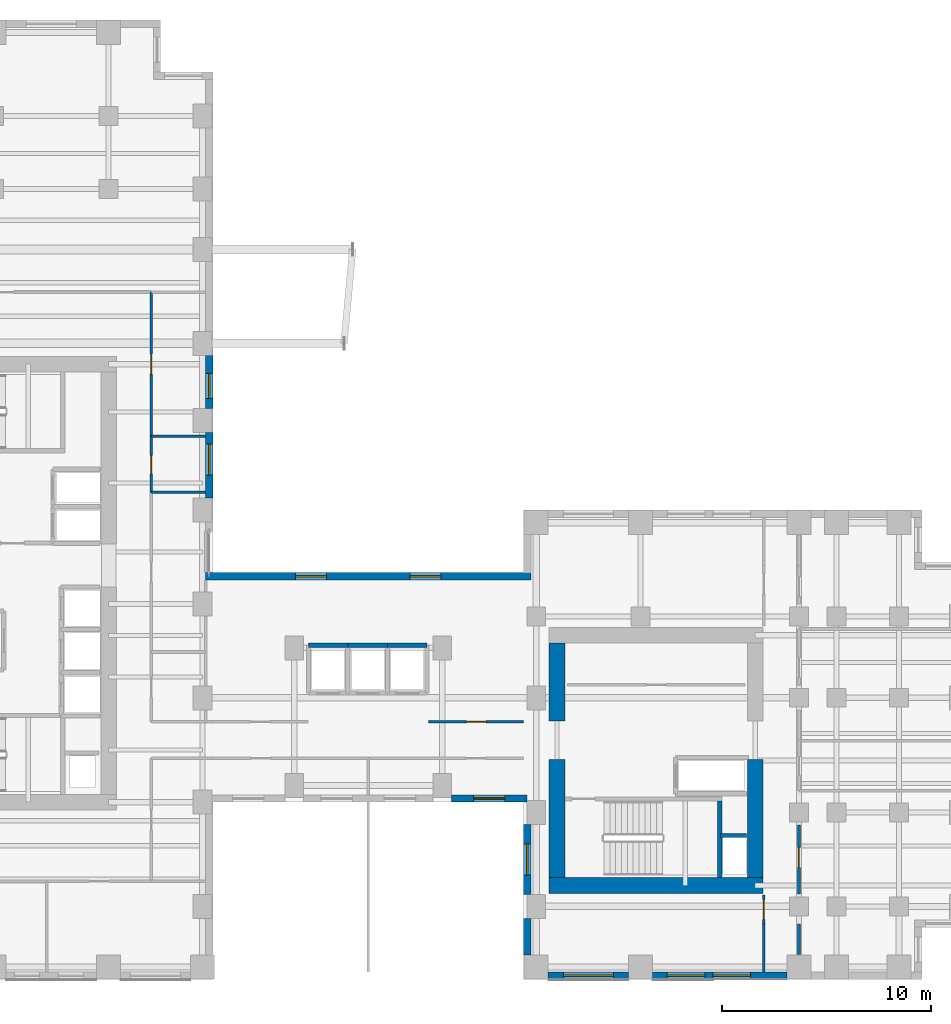
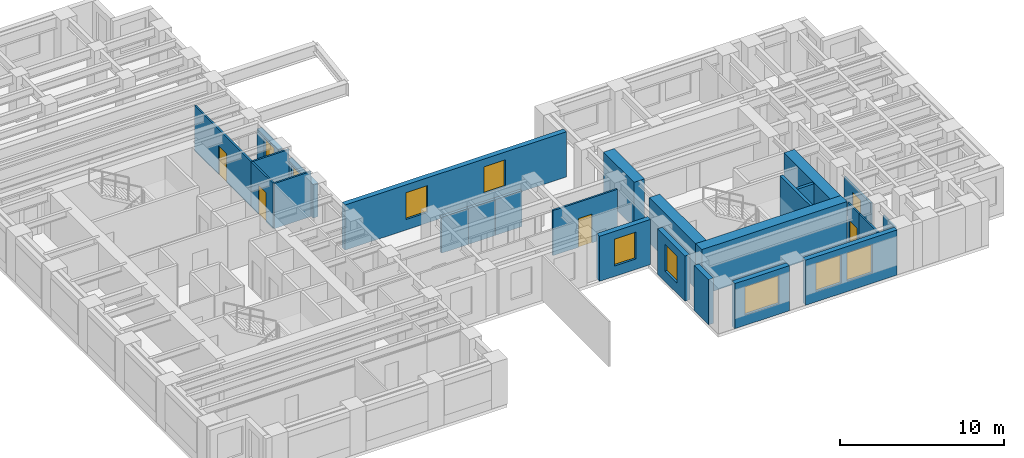
# One storey, part 9 of 14: 26 walls, 9 windows, 5 doors, 14 openings.
"""IFC4 building model written with IfcOpenShell, lengths in metres."""

from ifc_helpers import new_model, si_unit, direction, frame, frame_2d, origin, place, context, subcontext, project, spatial, rectangle, extrude, source, transform, mapped, material, layer, layer_set, type_object, element, fill, save


model = new_model("IFC4")

# Units and contexts
model_context = context("Model", 3, precision=1e-05, world=origin(), true_north=direction((0.0, 1.0)))
body_context = subcontext(model_context, "Body", "Model", "MODEL_VIEW")
ifc_project = project(units=[si_unit("LENGTHUNIT", "METRE"), si_unit("AREAUNIT", "SQUARE_METRE"), si_unit("VOLUMEUNIT", "CUBIC_METRE"), si_unit("PLANEANGLEUNIT", "RADIAN"), si_unit("MASSUNIT", "GRAM", prefix="KILO")], contexts=[model_context])

# Site, building, storey
site_placement = place(None, origin())
site = spatial("IfcSite", under=ifc_project, at=site_placement, CompositionType="ELEMENT")
building_placement = place(site_placement, origin())
building = spatial("IfcBuilding", under=site, at=building_placement, Name="Kharzan Plaza Tower", CompositionType="ELEMENT")
storey_placement = place(building_placement, frame((0.0, 0.0, 124.199951171875)))
storey = spatial("IfcBuildingStorey", under=building, at=storey_placement, Name="L33", CompositionType="ELEMENT", Elevation=124.199951171875)

# Wall, opening, window
ifc_material_1 = material(Name="Concrete C40/50", Category="concrete")
ifc_layer_1 = layer(ifc_material_1, 0.35009765625)
ifc_layer_set_1 = layer_set([ifc_layer_1], Name="Concrete C40/50")
wall_type_1 = type_object("IfcWallType", Name="WL-EXT-MAS-Z2", PredefinedType="SOLIDWALL", material=ifc_layer_set_1)
wall_1_placement = place(storey_placement, frame((19.324951171875, 23.072998046875, 0.0), z_axis=(0.0, 0.0, 1.0), x_axis=(0.0, 1.0, 0.0)))
wall_1 = element("IfcWall", 1, at=wall_1_placement, inside=storey, type_object=wall_type_1, Name="L33 Masonry-Frame Exterior Wall 02", PredefinedType="SOLIDWALL", context=body_context, shape_type="SweptSolid", body=[
    extrude(rectangle(XDim=3.154052734375, YDim=0.35009765625, at=frame_2d((1.5771484375, 0.0))), origin(), (0.0, 0.0, 1.0), 2.51904296875),
])
opening_1_placement = place(wall_1_placement, frame((1.10546875, 0.0, 0.780029296875)))
opening_1 = element("IfcOpeningElement", 2, at=opening_1_placement, cuts=wall_1, Name="Opening W5", PredefinedType="OPENING", context=body_context, shape_type="SweptSolid", body=[
    extrude(rectangle(XDim=1.5, YDim=1.55908203125, at=frame_2d((0.75, 0.779541015625))), frame((0.0, 0.18505859375, 0.0), z_axis=(0.0, -1.0, 0.0), x_axis=(1.0, 0.0, 0.0)), (0.0, 0.0, 1.0), 0.3701171875),
])
ifc_material_2 = material(Name="Low-E Double Glazing", Category="glass")
window_type_1 = type_object("IfcWindowType", Name="WN-SLT-1500x2000", PartitioningType="SINGLE_PANEL", PredefinedType="WINDOW", material=ifc_material_2)
shared_shape_1 = source(origin(), body_context, "Body", "SweptSolid", [
    extrude(rectangle(XDim=1.5, YDim=1.55908203125, at=frame_2d((0.75, 0.779541015625))), frame((0.0, 0.030029296875, 0.0), z_axis=(0.0, -1.0, 0.0), x_axis=(1.0, 0.0, 0.0)), (0.0, 0.0, 1.0), 0.06005859375),
])
window_1_placement = place(opening_1_placement, origin())
window_1 = element("IfcWindow", 3, at=window_1_placement, inside=storey, type_object=window_type_1, Name="L33 Recessed Solar-Control Window 02-1", OverallHeight=1.55908203125, OverallWidth=1.5, PartitioningType="SINGLE_PANEL", PredefinedType="WINDOW", context=body_context, shape_type="MappedRepresentation", body=[
    mapped(shared_shape_1, transform((0.0, 0.0, 0.0), x_axis=(1.0, 0.0, 0.0), y_axis=(0.0, 1.0, 0.0), z_axis=(0.0, 0.0, 1.0))),
])
fill(opening_1, window_1)

wall_2_placement = place(storey_placement, frame((19.324951171875, 27.373046875, 0.0), z_axis=(0.0, 0.0, 1.0), x_axis=(0.0, 1.0, 0.0)))
wall_2 = element("IfcWall", 4, at=wall_2_placement, inside=storey, type_object=wall_type_1, Name="L33 Masonry-Frame Exterior Wall 03", PredefinedType="SOLIDWALL", context=body_context, shape_type="SweptSolid", body=[
    extrude(rectangle(XDim=2.553955078125, YDim=0.35009765625, at=frame_2d((1.27685546875, 0.0))), origin(), (0.0, 0.0, 1.0), 2.51904296875),
])
opening_2_placement = place(wall_2_placement, frame((0.47998046875, 0.0, 0.780029296875)))
opening_2 = element("IfcOpeningElement", 5, at=opening_2_placement, cuts=wall_2, Name="Opening W3", PredefinedType="OPENING", context=body_context, shape_type="SweptSolid", body=[
    extrude(rectangle(XDim=1.199951171875, YDim=1.55908203125, at=frame_2d((0.60009765625, 0.779541015625))), frame((0.0, 0.18505859375, 0.0), z_axis=(0.0, -1.0, 0.0), x_axis=(1.0, 0.0, 0.0)), (0.0, 0.0, 1.0), 0.3701171875),
])
window_type_2 = type_object("IfcWindowType", Name="WN-REC-1200x2100", PartitioningType="SINGLE_PANEL", PredefinedType="WINDOW", material=ifc_material_2)
shared_shape_2 = source(origin(), body_context, "Body", "SweptSolid", [
    extrude(rectangle(XDim=1.199951171875, YDim=1.55908203125, at=frame_2d((0.60009765625, 0.779541015625))), frame((0.0, 0.030029296875, 0.0), z_axis=(0.0, -1.0, 0.0), x_axis=(1.0, 0.0, 0.0)), (0.0, 0.0, 1.0), 0.06005859375),
])
window_2_placement = place(opening_2_placement, origin())
window_2 = element("IfcWindow", 6, at=window_2_placement, inside=storey, type_object=window_type_2, Name="L33 Recessed Solar-Control Window 03-1", OverallHeight=1.55908203125, OverallWidth=1.199951171875, PartitioningType="SINGLE_PANEL", PredefinedType="WINDOW", context=body_context, shape_type="MappedRepresentation", body=[
    mapped(shared_shape_2, transform((0.0, 0.0, 0.0), x_axis=(1.0, 0.0, 0.0), y_axis=(0.0, 1.0, 0.0), z_axis=(0.0, 0.0, 1.0))),
])
fill(opening_2, window_2)

wall_3_placement = place(storey_placement, frame((30.947998046875, 8.675048828125, 0.0), z_axis=(0.0, 0.0, 1.0), x_axis=(1.0, 0.0, 0.0)))
wall_3 = element("IfcWall", 7, at=wall_3_placement, inside=storey, type_object=wall_type_1, Name="L33 Masonry-Frame Exterior Wall 36", PredefinedType="SOLIDWALL", context=body_context, shape_type="SweptSolid", body=[
    extrude(rectangle(XDim=3.60400390625, YDim=0.35009765625, at=frame_2d((1.802001953125, 0.0))), origin(), (0.0, 0.0, 1.0), 3.364990234375),
])
opening_3_placement = place(wall_3_placement, frame((1.052001953125, 0.0, 0.780029296875)))
opening_3 = element("IfcOpeningElement", 8, at=opening_3_placement, cuts=wall_3, Name="Opening W5", PredefinedType="OPENING", context=body_context, shape_type="SweptSolid", body=[
    extrude(rectangle(XDim=1.5, YDim=2.0, at=frame_2d((0.75, 1.0))), frame((0.0, 0.18505859375, 0.0), z_axis=(0.0, -1.0, 0.0), x_axis=(1.0, 0.0, 0.0)), (0.0, 0.0, 1.0), 0.3701171875),
])
shared_shape_3 = source(origin(), body_context, "Body", "SweptSolid", [
    extrude(rectangle(XDim=1.5, YDim=2.0, at=frame_2d((0.75, 1.0))), frame((0.0, 0.030029296875, 0.0), z_axis=(0.0, -1.0, 0.0), x_axis=(1.0, 0.0, 0.0)), (0.0, 0.0, 1.0), 0.06005859375),
])
window_3_placement = place(opening_3_placement, origin())
window_3 = element("IfcWindow", 9, at=window_3_placement, inside=storey, type_object=window_type_1, Name="L33 Recessed Solar-Control Window 36-1", OverallHeight=2.0, OverallWidth=1.5, PartitioningType="SINGLE_PANEL", PredefinedType="WINDOW", context=body_context, shape_type="MappedRepresentation", body=[
    mapped(shared_shape_3, transform((0.0, 0.0, 0.0), x_axis=(1.0, 0.0, 0.0), y_axis=(0.0, 1.0, 0.0), z_axis=(0.0, 0.0, 1.0))),
])
fill(opening_3, window_3)

wall_4_placement = place(storey_placement, frame((34.574951171875, 7.427001953125, 0.0), z_axis=(0.0, 0.0, 1.0), x_axis=(0.0, -1.0, 0.0)))
wall_4 = element("IfcWall", 10, at=wall_4_placement, inside=storey, type_object=wall_type_1, Name="L33 Masonry-Frame Exterior Wall 37", PredefinedType="SOLIDWALL", context=body_context, shape_type="SweptSolid", body=[
    extrude(rectangle(XDim=3.35400390625, YDim=0.35009765625, at=frame_2d((1.677001953125, 0.0))), origin(), (0.0, 0.0, 1.0), 3.364990234375),
])
opening_4_placement = place(wall_4_placement, frame((0.927001953125, 0.0, 0.780029296875)))
opening_4 = element("IfcOpeningElement", 11, at=opening_4_placement, cuts=wall_4, Name="Opening W5", PredefinedType="OPENING", context=body_context, shape_type="SweptSolid", body=[
    extrude(rectangle(XDim=1.5, YDim=2.0, at=frame_2d((0.75, 1.0))), frame((0.0, 0.18505859375, 0.0), z_axis=(0.0, -1.0, 0.0), x_axis=(1.0, 0.0, 0.0)), (0.0, 0.0, 1.0), 0.3701171875),
])
window_4_placement = place(opening_4_placement, origin())
window_4 = element("IfcWindow", 12, at=window_4_placement, inside=storey, type_object=window_type_1, Name="L33 Recessed Solar-Control Window 37-1", OverallHeight=2.0, OverallWidth=1.5, PartitioningType="SINGLE_PANEL", PredefinedType="WINDOW", context=body_context, shape_type="MappedRepresentation", body=[
    mapped(shared_shape_3, transform((0.0, 0.0, 0.0), x_axis=(1.0, 0.0, 0.0), y_axis=(0.0, 1.0, 0.0), z_axis=(0.0, 0.0, 1.0))),
])
fill(opening_4, window_4)

wall_5_placement = place(storey_placement, frame((35.572998046875, 0.175048828125, 0.0), z_axis=(0.0, 0.0, 1.0), x_axis=(1.0, 0.0, 0.0)))
wall_5 = element("IfcWall", 13, at=wall_5_placement, inside=storey, type_object=wall_type_1, Name="L33 Masonry-Frame Exterior Wall 39", PredefinedType="SOLIDWALL", context=body_context, shape_type="SweptSolid", body=[
    extrude(rectangle(XDim=3.85400390625, YDim=0.35009765625, at=frame_2d((1.927001953125, 0.0))), origin(), (0.0, 0.0, 1.0), 3.364990234375),
])
opening_5_placement = place(wall_5_placement, frame((0.72705078125, 0.0, 0.780029296875)))
opening_5 = element("IfcOpeningElement", 14, at=opening_5_placement, cuts=wall_5, Name="Opening W2", PredefinedType="OPENING", context=body_context, shape_type="SweptSolid", body=[
    extrude(rectangle(XDim=2.39990234375, YDim=2.10009765625, at=frame_2d((1.199951171875, 1.050048828125))), frame((0.0, 0.18505859375, 0.0), z_axis=(0.0, -1.0, 0.0), x_axis=(1.0, 0.0, 0.0)), (0.0, 0.0, 1.0), 0.3701171875),
])
window_type_3 = type_object("IfcWindowType", Name="WN-REC-2400x2100", PartitioningType="SINGLE_PANEL", PredefinedType="WINDOW", material=ifc_material_2)
shared_shape_4 = source(origin(), body_context, "Body", "SweptSolid", [
    extrude(rectangle(XDim=2.39990234375, YDim=2.10009765625, at=frame_2d((1.199951171875, 1.050048828125))), frame((0.0, 0.030029296875, 0.0), z_axis=(0.0, -1.0, 0.0), x_axis=(1.0, 0.0, 0.0)), (0.0, 0.0, 1.0), 0.06005859375),
])
window_5_placement = place(opening_5_placement, origin())
window_5 = element("IfcWindow", 15, at=window_5_placement, inside=storey, type_object=window_type_3, Name="L33 Wide Recessed Solar-Control Window 39-1", OverallHeight=2.10009765625, OverallWidth=2.39990234375, PartitioningType="SINGLE_PANEL", PredefinedType="WINDOW", context=body_context, shape_type="MappedRepresentation", body=[
    mapped(shared_shape_4, transform((0.0, 0.0, 0.0), x_axis=(1.0, 0.0, 0.0), y_axis=(0.0, 1.0, 0.0), z_axis=(0.0, 0.0, 1.0))),
])
fill(opening_5, window_5)

# Wall, openings, windows
wall_6_placement = place(storey_placement, frame((40.572998046875, 0.175048828125, 0.0), z_axis=(0.0, 0.0, 1.0), x_axis=(1.0, 0.0, 0.0)))
wall_6 = element("IfcWall", 16, at=wall_6_placement, inside=storey, type_object=wall_type_1, Name="L33 Masonry-Frame Exterior Wall 40", PredefinedType="SOLIDWALL", context=body_context, shape_type="SweptSolid", body=[
    extrude(rectangle(XDim=6.4541015625, YDim=0.35009765625, at=frame_2d((3.22705078125, 0.0))), origin(), (0.0, 0.0, 1.0), 3.364990234375),
])
opening_6_placement = place(wall_6_placement, frame((0.71240234375, 0.0, 0.780029296875)))
opening_6 = element("IfcOpeningElement", 17, at=opening_6_placement, cuts=wall_6, Name="Opening W1", PredefinedType="OPENING", context=body_context, shape_type="SweptSolid", body=[
    extrude(rectangle(XDim=1.800048828125, YDim=2.10009765625, at=frame_2d((0.89990234375, 1.050048828125))), frame((0.0, 0.18505859375, 0.0), z_axis=(0.0, -1.0, 0.0), x_axis=(1.0, 0.0, 0.0)), (0.0, 0.0, 1.0), 0.3701171875),
])
opening_7_placement = place(wall_6_placement, frame((2.90478515625, 0.0, 0.780029296875)))
opening_7 = element("IfcOpeningElement", 18, at=opening_7_placement, cuts=wall_6, Name="Opening W1", PredefinedType="OPENING", context=body_context, shape_type="SweptSolid", body=[
    extrude(rectangle(XDim=1.800048828125, YDim=2.10009765625, at=frame_2d((0.89990234375, 1.050048828125))), frame((0.0, 0.18505859375, 0.0), z_axis=(0.0, -1.0, 0.0), x_axis=(1.0, 0.0, 0.0)), (0.0, 0.0, 1.0), 0.3701171875),
])
window_type_4 = type_object("IfcWindowType", Name="WN-REC-1800x2100", PartitioningType="SINGLE_PANEL", PredefinedType="WINDOW", material=ifc_material_2)
shared_shape_5 = source(origin(), body_context, "Body", "SweptSolid", [
    extrude(rectangle(XDim=1.800048828125, YDim=2.10009765625, at=frame_2d((0.89990234375, 1.050048828125))), frame((0.0, 0.030029296875, 0.0), z_axis=(0.0, -1.0, 0.0), x_axis=(1.0, 0.0, 0.0)), (0.0, 0.0, 1.0), 0.06005859375),
])
window_6_placement = place(opening_6_placement, origin())
window_6 = element("IfcWindow", 19, at=window_6_placement, inside=storey, type_object=window_type_4, Name="L33 Recessed Solar-Control Window 40-1", OverallHeight=2.10009765625, OverallWidth=1.800048828125, PartitioningType="SINGLE_PANEL", PredefinedType="WINDOW", context=body_context, shape_type="MappedRepresentation", body=[
    mapped(shared_shape_5, transform((0.0, 0.0, 0.0), x_axis=(1.0, 0.0, 0.0), y_axis=(0.0, 1.0, 0.0), z_axis=(0.0, 0.0, 1.0))),
])
fill(opening_6, window_6)
window_7_placement = place(opening_7_placement, origin())
window_7 = element("IfcWindow", 20, at=window_7_placement, inside=storey, type_object=window_type_4, Name="L33 Recessed Solar-Control Window 40-2", OverallHeight=2.10009765625, OverallWidth=1.800048828125, PartitioningType="SINGLE_PANEL", PredefinedType="WINDOW", context=body_context, shape_type="MappedRepresentation", body=[
    mapped(shared_shape_5, transform((0.0, 0.0, 0.0), x_axis=(1.0, 0.0, 0.0), y_axis=(0.0, 1.0, 0.0), z_axis=(0.0, 0.0, 1.0))),
])
fill(opening_7, window_7)

wall_7_placement = place(storey_placement, frame((34.75, 19.324951171875, 0.0), z_axis=(0.0, 0.0, 1.0), x_axis=(-1.0, 0.0, 0.0)))
wall_7 = element("IfcWall", 21, at=wall_7_placement, inside=storey, type_object=wall_type_1, Name="L33 Masonry-Frame Exterior Wall 58", PredefinedType="SOLIDWALL", context=body_context, shape_type="SweptSolid", body=[
    extrude(rectangle(XDim=15.60009765625, YDim=0.35009765625, at=frame_2d((7.800048828125, 0.0))), origin(), (0.0, 0.0, 1.0), 3.364990234375),
])
opening_8_placement = place(wall_7_placement, frame((4.306640625, 0.0, 0.780029296875)))
opening_8 = element("IfcOpeningElement", 22, at=opening_8_placement, cuts=wall_7, Name="Opening W5", PredefinedType="OPENING", context=body_context, shape_type="SweptSolid", body=[
    extrude(rectangle(XDim=1.5, YDim=2.0, at=frame_2d((0.75, 1.0))), frame((0.0, 0.18505859375, 0.0), z_axis=(0.0, -1.0, 0.0), x_axis=(1.0, 0.0, 0.0)), (0.0, 0.0, 1.0), 0.3701171875),
])
opening_9_placement = place(wall_7_placement, frame((9.793212890625, 0.0, 0.780029296875)))
opening_9 = element("IfcOpeningElement", 23, at=opening_9_placement, cuts=wall_7, Name="Opening W5", PredefinedType="OPENING", context=body_context, shape_type="SweptSolid", body=[
    extrude(rectangle(XDim=1.5, YDim=2.0, at=frame_2d((0.75, 1.0))), frame((0.0, 0.18505859375, 0.0), z_axis=(0.0, -1.0, 0.0), x_axis=(1.0, 0.0, 0.0)), (0.0, 0.0, 1.0), 0.3701171875),
])
window_8_placement = place(opening_8_placement, origin())
window_8 = element("IfcWindow", 24, at=window_8_placement, inside=storey, type_object=window_type_1, Name="L33 Recessed Solar-Control Window 58-1", OverallHeight=2.0, OverallWidth=1.5, PartitioningType="SINGLE_PANEL", PredefinedType="WINDOW", context=body_context, shape_type="MappedRepresentation", body=[
    mapped(shared_shape_3, transform((0.0, 0.0, 0.0), x_axis=(1.0, 0.0, 0.0), y_axis=(0.0, 1.0, 0.0), z_axis=(0.0, 0.0, 1.0))),
])
fill(opening_8, window_8)
window_9_placement = place(opening_9_placement, origin())
window_9 = element("IfcWindow", 25, at=window_9_placement, inside=storey, type_object=window_type_1, Name="L33 Recessed Solar-Control Window 58-2", OverallHeight=2.0, OverallWidth=1.5, PartitioningType="SINGLE_PANEL", PredefinedType="WINDOW", context=body_context, shape_type="MappedRepresentation", body=[
    mapped(shared_shape_3, transform((0.0, 0.0, 0.0), x_axis=(1.0, 0.0, 0.0), y_axis=(0.0, 1.0, 0.0), z_axis=(0.0, 0.0, 1.0))),
])
fill(opening_9, window_9)

# Wall, opening, door
ifc_material_3 = material(Name="Fire-Rated Gypsum Board Partition", Category="gypsum")
ifc_layer_2 = layer(ifc_material_3, 0.125)
ifc_layer_set_2 = layer_set([ifc_layer_2], Name="Fire-Rated Gypsum Board Partition")
wall_type_2 = type_object("IfcWallType", Name="WL-INT-PART-125", PredefinedType="PARTITIONING", material=ifc_layer_set_2)
wall_8_placement = place(storey_placement, frame((16.550048828125, 26.050048828125, 0.0), z_axis=(0.0, 0.0, 1.0), x_axis=(0.0, 1.0, 0.0)))
wall_8 = element("IfcWall", 26, at=wall_8_placement, inside=storey, type_object=wall_type_2, Name="L33 Interior Partition SH-AEWN3", PredefinedType="PARTITIONING", context=body_context, shape_type="SweptSolid", body=[
    extrude(rectangle(XDim=6.89990234375, YDim=0.125, at=frame_2d((3.449951171875, 0.0))), origin(), (0.0, 0.0, 1.0), 3.364990234375),
])
opening_10_placement = place(wall_8_placement, frame((2.97509765625, 0.0, 0.0)))
opening_10 = element("IfcOpeningElement", 27, at=opening_10_placement, cuts=wall_8, Name="Opening OD1", PredefinedType="OPENING", context=body_context, shape_type="SweptSolid", body=[
    extrude(rectangle(XDim=0.949951171875, YDim=2.14990234375, at=frame_2d((0.47509765625, 1.074951171875))), frame((0.0, 0.072509765625, 0.0), z_axis=(0.0, -1.0, 0.0), x_axis=(1.0, 0.0, 0.0)), (0.0, 0.0, 1.0), 0.14501953125),
])
ifc_material_4 = material(Name="Acoustic Solid-Core Stained Oak", Category="timber")
door_type_1 = type_object("IfcDoorType", Name="DR-OFF-SINGLE", OperationType="NOTDEFINED", PredefinedType="DOOR", material=ifc_material_4)
shared_shape_6 = source(origin(), body_context, "Body", "SweptSolid", [
    extrude(rectangle(XDim=0.949951171875, YDim=2.14990234375, at=frame_2d((0.47509765625, 1.074951171875))), frame((0.0, 0.02490234375, 0.0), z_axis=(0.0, -1.0, 0.0), x_axis=(1.0, 0.0, 0.0)), (0.0, 0.0, 1.0), 0.050048828125),
])
door_1_placement = place(opening_10_placement, origin())
door_1 = element("IfcDoor", 28, at=door_1_placement, inside=storey, type_object=door_type_1, Name="L33 Staff Tea Point Door", OperationType="SINGLE_SWING_LEFT", OverallHeight=2.14990234375, OverallWidth=0.949951171875, PredefinedType="DOOR", context=body_context, shape_type="MappedRepresentation", body=[
    mapped(shared_shape_6, transform((0.0, 0.0, 0.0), x_axis=(1.0, 0.0, 0.0), y_axis=(0.0, 1.0, 0.0), z_axis=(0.0, 0.0, 1.0))),
])
fill(opening_10, door_1)

wall_9_placement = place(storey_placement, frame((16.550048828125, 23.35009765625, 0.0), z_axis=(0.0, 0.0, 1.0), x_axis=(0.0, 1.0, 0.0)))
wall_9 = element("IfcWall", 29, at=wall_9_placement, inside=storey, type_object=wall_type_2, Name="L33 Interior Partition SH-AEWW", PredefinedType="PARTITIONING", context=body_context, shape_type="SweptSolid", body=[
    extrude(rectangle(XDim=2.699951171875, YDim=0.125, at=frame_2d((1.35009765625, 0.0))), origin(), (0.0, 0.0, 1.0), 3.364990234375),
])
opening_11_placement = place(wall_9_placement, frame((0.875, 0.0, 0.0)))
opening_11 = element("IfcOpeningElement", 30, at=opening_11_placement, cuts=wall_9, Name="Opening WD1", PredefinedType="OPENING", context=body_context, shape_type="SweptSolid", body=[
    extrude(rectangle(XDim=0.89990234375, YDim=2.14990234375, at=frame_2d((0.449951171875, 1.074951171875))), frame((0.0, 0.072509765625, 0.0), z_axis=(0.0, -1.0, 0.0), x_axis=(1.0, 0.0, 0.0)), (0.0, 0.0, 1.0), 0.14501953125),
])
ifc_material_5 = material(Name="Moisture-Resistant Fire-Rated Laminate", Category="timber")
door_type_2 = type_object("IfcDoorType", Name="DR-WC-900", OperationType="NOTDEFINED", PredefinedType="DOOR", material=ifc_material_5)
shared_shape_7 = source(origin(), body_context, "Body", "SweptSolid", [
    extrude(rectangle(XDim=0.89990234375, YDim=2.14990234375, at=frame_2d((0.449951171875, 1.074951171875))), frame((0.0, 0.02490234375, 0.0), z_axis=(0.0, -1.0, 0.0), x_axis=(1.0, 0.0, 0.0)), (0.0, 0.0, 1.0), 0.050048828125),
])
door_2_placement = place(opening_11_placement, origin())
door_2 = element("IfcDoor", 31, at=door_2_placement, inside=storey, type_object=door_type_2, Name="L33 Wing A Washroom Door", OperationType="SINGLE_SWING_RIGHT", OverallHeight=2.14990234375, OverallWidth=0.89990234375, PredefinedType="DOOR", context=body_context, shape_type="MappedRepresentation", body=[
    mapped(shared_shape_7, transform((0.0, 0.0, 0.0), x_axis=(1.0, 0.0, 0.0), y_axis=(0.0, 1.0, 0.0), z_axis=(0.0, 0.0, 1.0))),
])
fill(opening_11, door_2)

wall_10_placement = place(storey_placement, frame((47.60009765625, 4.090087890625, 0.0), z_axis=(0.0, 0.0, 1.0), x_axis=(0.0, 1.0, 0.0)))
wall_10 = element("IfcWall", 32, at=wall_10_placement, inside=storey, type_object=wall_type_2, Name="L33 Interior Partition SH-B1W0", PredefinedType="PARTITIONING", context=body_context, shape_type="SweptSolid", body=[
    extrude(rectangle(XDim=3.31982421875, YDim=0.125, at=frame_2d((1.659912109375, 0.0))), origin(), (0.0, 0.0, 1.0), 2.677001953125),
])
opening_12_placement = place(wall_10_placement, frame((1.284912109375, 0.0, 0.0)))
opening_12 = element("IfcOpeningElement", 33, at=opening_12_placement, cuts=wall_10, Name="Opening OD1", PredefinedType="OPENING", context=body_context, shape_type="SweptSolid", body=[
    extrude(rectangle(XDim=0.949951171875, YDim=2.14990234375, at=frame_2d((0.47509765625, 1.074951171875))), frame((0.0, 0.072509765625, 0.0), z_axis=(0.0, -1.0, 0.0), x_axis=(1.0, 0.0, 0.0)), (0.0, 0.0, 1.0), 0.14501953125),
])
door_3_placement = place(opening_12_placement, origin())
door_3 = element("IfcDoor", 34, at=door_3_placement, inside=storey, type_object=door_type_1, Name="L33 Wing B South Studio Door", OperationType="SINGLE_SWING_RIGHT", OverallHeight=2.14990234375, OverallWidth=0.949951171875, PredefinedType="DOOR", context=body_context, shape_type="MappedRepresentation", body=[
    mapped(shared_shape_6, transform((0.0, 0.0, 0.0), x_axis=(1.0, 0.0, 0.0), y_axis=(0.0, 1.0, 0.0), z_axis=(0.0, 0.0, 1.0))),
])
fill(opening_12, door_3)

wall_11_placement = place(storey_placement, frame((45.919921875, 2.64990234375, 0.0), z_axis=(0.0, 0.0, 1.0), x_axis=(0.0, 1.0, 0.0)))
wall_11 = element("IfcWall", 35, at=wall_11_placement, inside=storey, type_object=wall_type_2, Name="L33 Interior Partition SH-RBSE", PredefinedType="PARTITIONING", context=body_context, shape_type="SweptSolid", body=[
    extrude(rectangle(XDim=1.400146484375, YDim=0.125, at=frame_2d((0.7001953125, 0.0))), origin(), (0.0, 0.0, 1.0), 3.364990234375),
])
opening_13_placement = place(wall_11_placement, frame((0.22509765625, 0.0, 0.0)))
opening_13 = element("IfcOpeningElement", 36, at=opening_13_placement, cuts=wall_11, Name="Opening OD1", PredefinedType="OPENING", context=body_context, shape_type="SweptSolid", body=[
    extrude(rectangle(XDim=0.949951171875, YDim=2.14990234375, at=frame_2d((0.47509765625, 1.074951171875))), frame((0.0, 0.072509765625, 0.0), z_axis=(0.0, -1.0, 0.0), x_axis=(1.0, 0.0, 0.0)), (0.0, 0.0, 1.0), 0.14501953125),
])
door_4_placement = place(opening_13_placement, origin())
door_4 = element("IfcDoor", 37, at=door_4_placement, inside=storey, type_object=door_type_1, Name="L33 South-East Corner Office Door", OperationType="SINGLE_SWING_RIGHT", OverallHeight=2.14990234375, OverallWidth=0.949951171875, PredefinedType="DOOR", context=body_context, shape_type="MappedRepresentation", body=[
    mapped(shared_shape_6, transform((0.0, 0.0, 0.0), x_axis=(1.0, 0.0, 0.0), y_axis=(0.0, 1.0, 0.0), z_axis=(0.0, 0.0, 1.0))),
])
fill(opening_13, door_4)

wall_12_placement = place(storey_placement, frame((29.85009765625, 12.35009765625, 0.0), z_axis=(0.0, 0.0, 1.0), x_axis=(1.0, 0.0, 0.0)))
wall_12 = element("IfcWall", 38, at=wall_12_placement, inside=storey, type_object=wall_type_2, Name="L33 Interior Partition SH-SPNE1", PredefinedType="PARTITIONING", context=body_context, shape_type="SweptSolid", body=[
    extrude(rectangle(XDim=4.5498046875, YDim=0.125, at=frame_2d((2.27490234375, 0.0))), origin(), (0.0, 0.0, 1.0), 3.364990234375),
])
opening_14_placement = place(wall_12_placement, frame((1.800048828125, 0.0, 0.0)))
opening_14 = element("IfcOpeningElement", 39, at=opening_14_placement, cuts=wall_12, Name="Opening OD1", PredefinedType="OPENING", context=body_context, shape_type="SweptSolid", body=[
    extrude(rectangle(XDim=0.949951171875, YDim=2.14990234375, at=frame_2d((0.47509765625, 1.074951171875))), frame((0.0, 0.072509765625, 0.0), z_axis=(0.0, -1.0, 0.0), x_axis=(1.0, 0.0, 0.0)), (0.0, 0.0, 1.0), 0.14501953125),
])
door_5_placement = place(opening_14_placement, origin())
door_5 = element("IfcDoor", 40, at=door_5_placement, inside=storey, type_object=door_type_1, Name="L33 North-East Spine Door", OperationType="SINGLE_SWING_LEFT", OverallHeight=2.14990234375, OverallWidth=0.949951171875, PredefinedType="DOOR", context=body_context, shape_type="MappedRepresentation", body=[
    mapped(shared_shape_6, transform((0.0, 0.0, 0.0), x_axis=(1.0, 0.0, 0.0), y_axis=(0.0, 1.0, 0.0), z_axis=(0.0, 0.0, 1.0))),
])
fill(opening_14, door_5)

# Walls
shared_shape_8 = source(origin(), body_context, "Body", "SweptSolid", [
    extrude(rectangle(XDim=2.597900390625, YDim=0.125, at=frame_2d((1.298828125, 0.0))), origin(), (0.0, 0.0, 1.0), 3.364990234375),
])
for number, where, z_axis, x_axis, name in (
    (41, (16.550048828125, 23.35009765625, 0.0), (0.0, 0.0, 1.0), (1.0, 0.0, 0.0), "L33 Interior Partition SH-AEH-233"),
    (42, (16.550048828125, 26.050048828125, 0.0), (0.0, 0.0, 1.0), (1.0, 0.0, 0.0), "L33 Interior Partition SH-AEH-260"),
):
    element("IfcWall", number, at=place(storey_placement, frame(where, z_axis=z_axis, x_axis=x_axis)), inside=storey, type_object=wall_type_2, Name=name, PredefinedType="PARTITIONING", context=body_context, shape_type="MappedRepresentation", body=[
        mapped(shared_shape_8, transform((0.0, 0.0, 0.0), x_axis=(1.0, 0.0, 0.0), y_axis=(0.0, 1.0, 0.0), z_axis=(0.0, 0.0, 1.0))),
    ])
shared_shape_9 = source(origin(), body_context, "Body", "SweptSolid", [
    extrude(rectangle(XDim=2.2978515625, YDim=0.125, at=frame_2d((1.14892578125, 0.0))), origin(), (0.0, 0.0, 1.0), 3.364990234375),
])
wall_13_placement = place(storey_placement, frame((45.919921875, 0.35205078125, 0.0), z_axis=(0.0, 0.0, 1.0), x_axis=(0.0, 1.0, 0.0)))
element("IfcWall", 43, at=wall_13_placement, inside=storey, type_object=wall_type_2, Name="L33 Interior Partition SH-RBSE0", PredefinedType="PARTITIONING", context=body_context, shape_type="MappedRepresentation", body=[
    mapped(shared_shape_9, transform((0.0, 0.0, 0.0), x_axis=(1.0, 0.0, 0.0), y_axis=(0.0, 1.0, 0.0), z_axis=(0.0, 0.0, 1.0))),
])
ifc_material_6 = material(Name="Concrete C60/75", Category="concrete")
ifc_layer_3 = layer(ifc_material_6, 0.75)
ifc_layer_set_3 = layer_set([ifc_layer_3], Name="Concrete C60/75")
wall_type_3 = type_object("IfcWallType", Name="WL-CORE-750", PredefinedType="SHEAR", material=ifc_layer_set_3)
shared_shape_10 = source(origin(), body_context, "Body", "SweptSolid", [
    extrude(rectangle(XDim=5.675048828125, YDim=0.75, at=frame_2d((2.83740234375, 0.0))), origin(), (0.0, 0.0, 1.0), 3.380126953125),
])
for number, where, z_axis, x_axis, name in (
    (44, (45.5, 4.875, 0.0), (0.0, 0.0, 1.0), (0.0, 1.0, 0.0), "L33 CORE-B east shear pier 1"),
    (45, (36.0, 4.875, 0.0), (0.0, 0.0, 1.0), (0.0, 1.0, 0.0), "L33 CORE-B west shear pier 1"),
):
    element("IfcWall", number, at=place(storey_placement, frame(where, z_axis=z_axis, x_axis=x_axis)), inside=storey, type_object=wall_type_3, Name=name, PredefinedType="SHEAR", context=body_context, shape_type="MappedRepresentation", body=[
        mapped(shared_shape_10, transform((0.0, 0.0, 0.0), x_axis=(1.0, 0.0, 0.0), y_axis=(0.0, 1.0, 0.0), z_axis=(0.0, 0.0, 1.0))),
    ])
shared_shape_11 = source(origin(), body_context, "Body", "SweptSolid", [
    extrude(rectangle(XDim=3.72509765625, YDim=0.75, at=frame_2d((1.862548828125, 0.0))), origin(), (0.0, 0.0, 1.0), 3.380126953125),
])
wall_14_placement = place(storey_placement, frame((36.0, 12.39990234375, 0.0), z_axis=(0.0, 0.0, 1.0), x_axis=(0.0, 1.0, 0.0)))
element("IfcWall", 46, at=wall_14_placement, inside=storey, type_object=wall_type_3, Name="L33 CORE-B west shear pier 2", PredefinedType="SHEAR", context=body_context, shape_type="MappedRepresentation", body=[
    mapped(shared_shape_11, transform((0.0, 0.0, 0.0), x_axis=(1.0, 0.0, 0.0), y_axis=(0.0, 1.0, 0.0), z_axis=(0.0, 0.0, 1.0))),
])
shared_shape_12 = source(origin(), body_context, "Body", "SweptSolid", [
    extrude(rectangle(XDim=10.25, YDim=0.75, at=frame_2d((5.125, 0.0))), origin(), (0.0, 0.0, 1.0), 3.380126953125),
])
wall_15_placement = place(storey_placement, frame((35.625, 4.5, 0.0), z_axis=(0.0, 0.0, 1.0), x_axis=(1.0, 0.0, 0.0)))
element("IfcWall", 47, at=wall_15_placement, inside=storey, type_object=wall_type_3, Name="L33 CORE-B south RC shear wall", PredefinedType="SHEAR", context=body_context, shape_type="MappedRepresentation", body=[
    mapped(shared_shape_12, transform((0.0, 0.0, 0.0), x_axis=(1.0, 0.0, 0.0), y_axis=(0.0, 1.0, 0.0), z_axis=(0.0, 0.0, 1.0))),
])
shared_shape_13 = source(origin(), body_context, "Body", "SweptSolid", [
    extrude(rectangle(XDim=1.75390625, YDim=0.35009765625, at=frame_2d((0.876953125, 0.0))), origin(), (0.0, 0.0, 1.0), 3.364990234375),
])
wall_16_placement = place(storey_placement, frame((34.574951171875, 2.927001953125, 0.0), z_axis=(0.0, 0.0, 1.0), x_axis=(0.0, -1.0, 0.0)))
element("IfcWall", 48, at=wall_16_placement, inside=storey, type_object=wall_type_1, Name="L33 Masonry-Frame Exterior Wall 38", PredefinedType="SOLIDWALL", context=body_context, shape_type="MappedRepresentation", body=[
    mapped(shared_shape_13, transform((0.0, 0.0, 0.0), x_axis=(1.0, 0.0, 0.0), y_axis=(0.0, 1.0, 0.0), z_axis=(0.0, 0.0, 1.0))),
])
ifc_layer_4 = layer(ifc_material_1, 0.199951171875)
ifc_layer_set_4 = layer_set([ifc_layer_4], Name="Concrete C40/50")
wall_type_4 = type_object("IfcWallType", Name="WL-INT-SHAFT-200", PredefinedType="PARTITIONING", material=ifc_layer_set_4)
shared_shape_14 = source(origin(), body_context, "Body", "SweptSolid", [
    extrude(rectangle(XDim=1.244873046875, YDim=0.199951171875, at=frame_2d((0.62255859375, 0.0))), origin(), (0.0, 0.0, 1.0), 3.364990234375),
])
wall_17_placement = place(storey_placement, frame((43.85009765625, 6.89990234375, 0.0), z_axis=(0.0, 0.0, 1.0), x_axis=(1.0, 0.0, 0.0)))
element("IfcWall", 49, at=wall_17_placement, inside=storey, type_object=wall_type_4, Name="L33 Interior Partition CB-RSRB-N", PredefinedType="PARTITIONING", context=body_context, shape_type="MappedRepresentation", body=[
    mapped(shared_shape_14, transform((0.0, 0.0, 0.0), x_axis=(1.0, 0.0, 0.0), y_axis=(0.0, 1.0, 0.0), z_axis=(0.0, 0.0, 1.0))),
])
shared_shape_15 = source(origin(), body_context, "Body", "SweptSolid", [
    extrude(rectangle(XDim=1.889892578125, YDim=0.199951171875, at=frame_2d((0.94482421875, 0.0))), origin(), (0.0, 0.0, 1.0), 2.677001953125),
])
wall_18_placement = place(storey_placement, frame((24.080078125, 16.02001953125, 0.0), z_axis=(0.0, 0.0, 1.0), x_axis=(1.0, 0.0, 0.0)))
element("IfcWall", 50, at=wall_18_placement, inside=storey, type_object=wall_type_4, Name="L33 Interior Partition SHF-PL-M1-N", PredefinedType="PARTITIONING", context=body_context, shape_type="MappedRepresentation", body=[
    mapped(shared_shape_15, transform((0.0, 0.0, 0.0), x_axis=(1.0, 0.0, 0.0), y_axis=(0.0, 1.0, 0.0), z_axis=(0.0, 0.0, 1.0))),
])
shared_shape_16 = source(origin(), body_context, "Body", "SweptSolid", [
    extrude(rectangle(XDim=1.89013671875, YDim=0.199951171875, at=frame_2d((0.945068359375, 0.0))), origin(), (0.0, 0.0, 1.0), 2.677001953125),
])
for number, where, z_axis, x_axis, name in (
    (51, (25.97998046875, 16.02001953125, 0.0), (0.0, 0.0, 1.0), (1.0, 0.0, 0.0), "L33 Interior Partition SHF-PL-M2-N"),
    (52, (27.8798828125, 16.02001953125, 0.0), (0.0, 0.0, 1.0), (1.0, 0.0, 0.0), "L33 Interior Partition SHF-PL-M3-N"),
):
    element("IfcWall", number, at=place(storey_placement, frame(where, z_axis=z_axis, x_axis=x_axis)), inside=storey, type_object=wall_type_4, Name=name, PredefinedType="PARTITIONING", context=body_context, shape_type="MappedRepresentation", body=[
        mapped(shared_shape_16, transform((0.0, 0.0, 0.0), x_axis=(1.0, 0.0, 0.0), y_axis=(0.0, 1.0, 0.0), z_axis=(0.0, 0.0, 1.0))),
    ])
ifc_material_7 = material(Name="Concrete C50/60", Category="concrete")
ifc_layer_5 = layer(ifc_material_7, 0.199951171875)
ifc_layer_set_5 = layer_set([ifc_layer_5], Name="Concrete C50/60")
wall_type_5 = type_object("IfcWallType", Name="WL-SHAFT-RC200", PredefinedType="SHEAR", material=ifc_layer_set_5)
shared_shape_17 = source(origin(), body_context, "Body", "SweptSolid", [
    extrude(rectangle(XDim=3.677978515625, YDim=0.199951171875, at=frame_2d((1.8388671875, 0.0))), origin(), (0.0, 0.0, 1.0), 3.380126953125),
])
wall_19_placement = place(storey_placement, frame((43.804931640625, 4.876953125, 0.0), z_axis=(0.0, 0.0, 1.0), x_axis=(0.0, 1.0, 0.0)))
element("IfcWall", 53, at=wall_19_placement, inside=storey, type_object=wall_type_5, Name="L33 Stair ST-3 East RC Shaft Wall", PredefinedType="SHEAR", context=body_context, shape_type="MappedRepresentation", body=[
    mapped(shared_shape_17, transform((0.0, 0.0, 0.0), x_axis=(1.0, 0.0, 0.0), y_axis=(0.0, 1.0, 0.0), z_axis=(0.0, 0.0, 1.0))),
])
shared_shape_18 = source(origin(), body_context, "Body", "SweptSolid", [
    extrude(rectangle(XDim=1.4599609375, YDim=0.125, at=frame_2d((0.72998046875, 0.0))), origin(), (0.0, 0.0, 1.0), 2.677001953125),
])
wall_20_placement = place(storey_placement, frame((47.60009765625, 1.18994140625, 0.0), z_axis=(0.0, 0.0, 1.0), x_axis=(0.0, 1.0, 0.0)))
element("IfcWall", 54, at=wall_20_placement, inside=storey, type_object=wall_type_2, Name="L33 Interior Partition SH-B1W0S", PredefinedType="PARTITIONING", context=body_context, shape_type="MappedRepresentation", body=[
    mapped(shared_shape_18, transform((0.0, 0.0, 0.0), x_axis=(1.0, 0.0, 0.0), y_axis=(0.0, 1.0, 0.0), z_axis=(0.0, 0.0, 1.0))),
])

save(model, "model.ifc")
